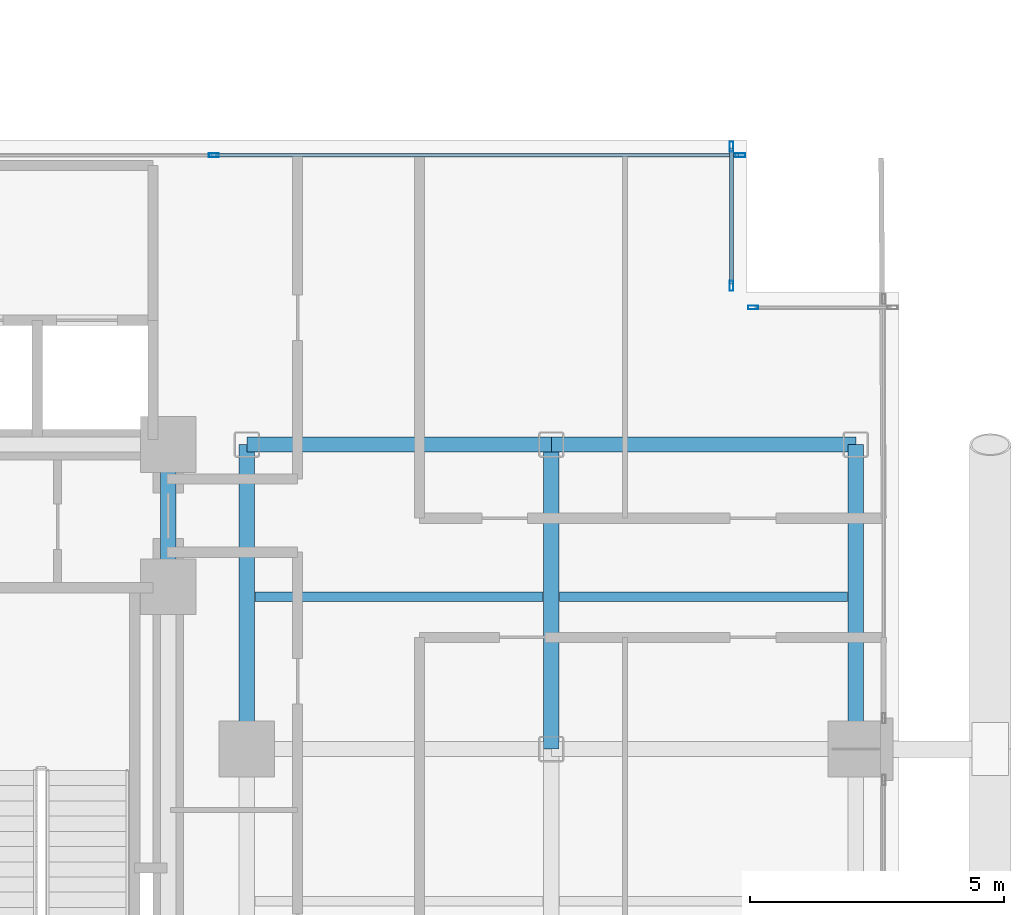
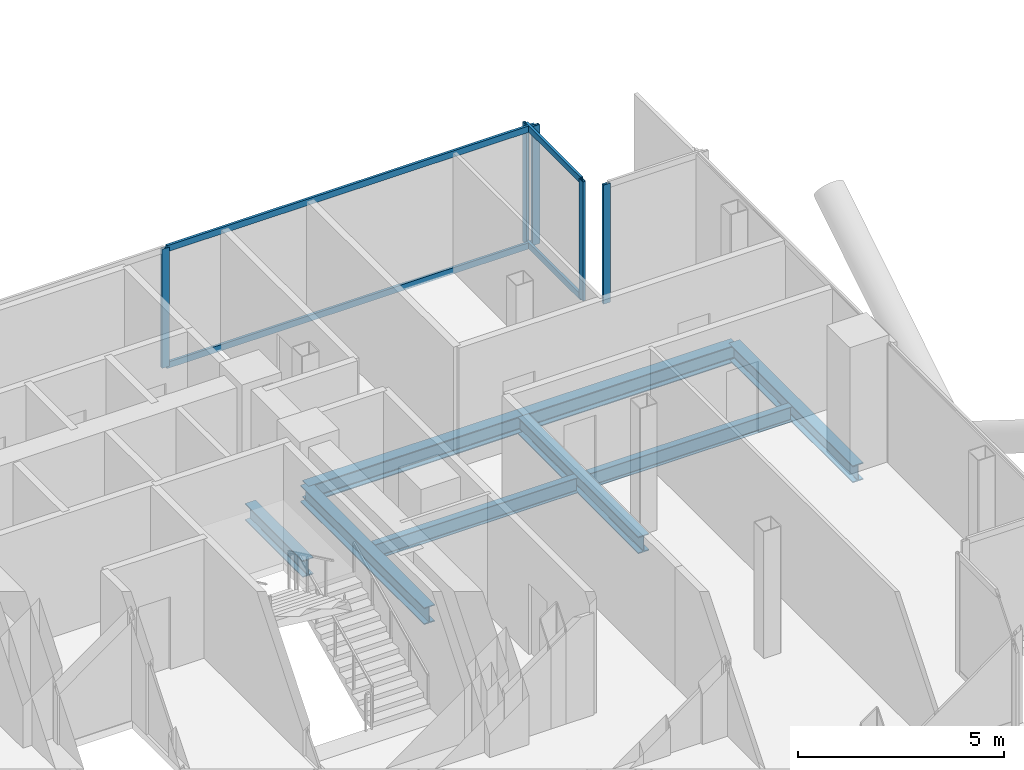
# One storey, part 12 of 24: 9 members, 8 beams, 3 elements without a shape of their own.
"""IFC4 building model written with IfcOpenShell, lengths in metres."""

from ifc_helpers import new_model, si_unit, direction, frame, origin, origin_2d, place, context, subcontext, project, spatial, hollow_rectangle, i_section, extrude, material, layer, layer_set, material_profile, profile_set, type_object, element, aggregate, save


model = new_model("IFC4")

# Units and contexts
model_context = context("Model", 3, precision=1e-05, world=origin(), true_north=direction((0.0, 1.0)))
body_context = subcontext(model_context, "Body", "Model", "MODEL_VIEW")
ifc_project = project(units=[si_unit("LENGTHUNIT", "METRE"), si_unit("AREAUNIT", "SQUARE_METRE"), si_unit("VOLUMEUNIT", "CUBIC_METRE"), si_unit("PLANEANGLEUNIT", "RADIAN"), si_unit("MASSUNIT", "GRAM", prefix="KILO"), si_unit("THERMODYNAMICTEMPERATUREUNIT", "KELVIN"), si_unit("POWERUNIT", "WATT")], contexts=[model_context])

# Site, building, storey
site_placement = place(None, origin())
site = spatial("IfcSite", under=ifc_project, at=site_placement, CompositionType="ELEMENT")
building_placement = place(site_placement, origin())
building = spatial("IfcBuilding", under=site, at=building_placement, Name="Svarakhadi Broadcast Tower", CompositionType="ELEMENT")
storey_placement = place(building_placement, frame((0.0, 0.0, 145.64990234375)))
storey = spatial("IfcBuildingStorey", under=building, at=storey_placement, Name="L35", CompositionType="ELEMENT", Elevation=145.64990234375)

# Beams
ifc_material_1 = material(Name="Steel S355J2 (IS 2062 E350C)", Category="steel")
ifc_material_profile_1 = material_profile(ifc_material_1, i_section(OverallWidth=0.18994140625, OverallDepth=0.449951171875, WebThickness=0.009521484375, FlangeThickness=0.0146484375, FilletRadius=0.02099609375, at=origin_2d()), Name="NPB 450x190x78")
ifc_profile_set_1 = profile_set([ifc_material_profile_1], Name="Steel S355J2 (IS 2062 E350C)")
beam_type_1 = type_object("IfcBeamType", Name="Beam_NPB450", PredefinedType="BEAM", material=ifc_profile_set_1)
for number, where, z_axis, x_axis, name in (
    (1, (35.31005859375, 15.0, -0.449951171875), (1.0, 0.0, 0.0), (0.0, 1.0, 0.0), "L35 Secondary Composite Beam SB021"),
    (2, (41.31005859375, 15.0, -0.449951171875), (1.0, 0.0, 0.0), (0.0, 1.0, 0.0), "L35 Secondary Composite Beam SB023"),
):
    element("IfcBeam", number, at=place(storey_placement, frame(where, z_axis=z_axis, x_axis=x_axis)), inside=storey, type_object=beam_type_1, Name=name, PredefinedType="BEAM", context=body_context, shape_type="SweptSolid", body=[
        extrude(i_section(OverallWidth=0.18994140625, OverallDepth=0.449951171875, WebThickness=0.009521484375, FlangeThickness=0.0146484375, FilletRadius=0.02099609375, at=origin_2d()), origin(), (0.0, 0.0, 1.0), 5.679931640625),
    ])

# Curtain wall, members
ifc_material_2 = material(Name="Anodised Bronze Aluminium AA 6063-T6", Category="aluminium")
ifc_layer = layer(ifc_material_2, 0.199951171875)
ifc_layer_set = layer_set([ifc_layer], Name="Anodised Bronze Aluminium AA 6063-T6")
curtain_wall_type = type_object("IfcCurtainWallType", Name="CW_Sys_03", PredefinedType="NOTDEFINED", material=ifc_layer_set)
curtain_wall_1_placement = place(storey_placement, origin())
curtain_wall_1 = element("IfcCurtainWall", 3, at=curtain_wall_1_placement, inside=storey, type_object=curtain_wall_type, Name="L35 Unitised Facade Curtain Wall 10", PredefinedType="NOTDEFINED")
ifc_material_profile_2 = material_profile(ifc_material_2, hollow_rectangle(XDim=0.074951171875, YDim=0.199951171875, WallThickness=0.005615234375, at=origin_2d()), Name="ALU MULLION 200x75x6")
ifc_profile_set_2 = profile_set([ifc_material_profile_2], Name="Anodised Bronze Aluminium AA 6063-T6")
member_type_1 = type_object("IfcMemberType", Name="CW_Sys_03_Mul", PredefinedType="MULLION", material=ifc_profile_set_2)
member_1_placement = place(storey_placement, frame((34.5, 23.699951171875, 0.0), z_axis=(0.0, 0.0, 1.0), x_axis=(0.0, 1.0, 0.0)))
member_1 = element("IfcMember", 4, at=member_1_placement, type_object=member_type_1, Name="CW-03 mullion 2", PredefinedType="MULLION", context=body_context, shape_type="SweptSolid", body=[
    extrude(hollow_rectangle(XDim=0.074951171875, YDim=0.199951171875, WallThickness=0.005615234375, at=origin_2d()), origin(), (0.0, 0.0, 1.0), 3.525146484375),
])
member_2_placement = place(storey_placement, frame((44.87255859375, 23.699951171875, 0.0), z_axis=(0.0, 0.0, 1.0), x_axis=(0.0, 1.0, 0.0)))
member_2 = element("IfcMember", 5, at=member_2_placement, type_object=member_type_1, Name="CW-03 mullion 3", PredefinedType="MULLION", context=body_context, shape_type="SweptSolid", body=[
    extrude(hollow_rectangle(XDim=0.074951171875, YDim=0.199951171875, WallThickness=0.005615234375, at=origin_2d()), origin(), (0.0, 0.0, 1.0), 3.525146484375),
])

curtain_wall_2_placement = place(storey_placement, origin())
curtain_wall_2 = element("IfcCurtainWall", 6, at=curtain_wall_2_placement, inside=storey, type_object=curtain_wall_type, Name="L35 Unitised Facade Curtain Wall 11", PredefinedType="NOTDEFINED")
member_3_placement = place(storey_placement, frame((44.699951171875, 23.87255859375, 0.0), z_axis=(0.0, 0.0, 1.0), x_axis=(1.0, 0.0, 0.0)))
member_3 = element("IfcMember", 7, at=member_3_placement, type_object=member_type_1, Name="CW-03 mullion 1", PredefinedType="MULLION", context=body_context, shape_type="SweptSolid", body=[
    extrude(hollow_rectangle(XDim=0.074951171875, YDim=0.199951171875, WallThickness=0.005615234375, at=origin_2d()), origin(), (0.0, 0.0, 1.0), 3.525146484375),
])
member_4_placement = place(storey_placement, frame((44.699951171875, 21.12744140625, 0.0), z_axis=(0.0, 0.0, 1.0), x_axis=(1.0, 0.0, 0.0)))
member_4 = element("IfcMember", 8, at=member_4_placement, type_object=member_type_1, Name="CW-03 mullion 2", PredefinedType="MULLION", context=body_context, shape_type="SweptSolid", body=[
    extrude(hollow_rectangle(XDim=0.074951171875, YDim=0.199951171875, WallThickness=0.005615234375, at=origin_2d()), origin(), (0.0, 0.0, 1.0), 3.525146484375),
])

# Curtain wall, member
curtain_wall_3_placement = place(storey_placement, origin())
curtain_wall_3 = element("IfcCurtainWall", 9, at=curtain_wall_3_placement, inside=storey, type_object=curtain_wall_type, Name="L35 Unitised Facade Curtain Wall 12", PredefinedType="NOTDEFINED")
member_5_placement = place(storey_placement, frame((45.12744140625, 20.699951171875, 0.0), z_axis=(0.0, 0.0, 1.0), x_axis=(0.0, 1.0, 0.0)))
member_5 = element("IfcMember", 10, at=member_5_placement, type_object=member_type_1, Name="CW-03 mullion 1", PredefinedType="MULLION", context=body_context, shape_type="SweptSolid", body=[
    extrude(hollow_rectangle(XDim=0.074951171875, YDim=0.199951171875, WallThickness=0.005615234375, at=origin_2d()), origin(), (0.0, 0.0, 1.0), 3.525146484375),
])
aggregate(curtain_wall_3, [member_5])

# Member
ifc_material_profile_3 = material_profile(ifc_material_2, hollow_rectangle(XDim=0.070068359375, YDim=0.18505859375, WallThickness=0.0048828125, at=origin_2d()), Name="ALU TRANSOM 185x70x5")
ifc_profile_set_3 = profile_set([ifc_material_profile_3], Name="Anodised Bronze Aluminium AA 6063-T6")
member_type_2 = type_object("IfcMemberType", Name="CW_Sys_03_Trn", PredefinedType="USERDEFINED", material=ifc_profile_set_3)
member_6_placement = place(storey_placement, frame((34.53759765625, 23.699951171875, 0.03515625), z_axis=(1.0, 0.0, 0.0), x_axis=(0.0, 1.0, 0.0)))
member_6 = element("IfcMember", 11, at=member_6_placement, type_object=member_type_2, Name="CW-03 transom 2.1", ObjectType="TRANSOM", PredefinedType="USERDEFINED", context=body_context, shape_type="SweptSolid", body=[
    extrude(hollow_rectangle(XDim=0.070068359375, YDim=0.18505859375, WallThickness=0.0048828125, at=origin_2d()), origin(), (0.0, 0.0, 1.0), 10.29736328125),
])

member_7_placement = place(storey_placement, frame((34.53759765625, 23.699951171875, 3.489990234375), z_axis=(1.0, 0.0, 0.0), x_axis=(0.0, 1.0, 0.0)))
member_7 = element("IfcMember", 12, at=member_7_placement, type_object=member_type_2, Name="CW-03 transom 2.2", ObjectType="TRANSOM", PredefinedType="USERDEFINED", context=body_context, shape_type="SweptSolid", body=[
    extrude(hollow_rectangle(XDim=0.070068359375, YDim=0.18505859375, WallThickness=0.0048828125, at=origin_2d()), origin(), (0.0, 0.0, 1.0), 10.29736328125),
])

aggregate(curtain_wall_1, [member_1, member_2, member_6, member_7])

member_8_placement = place(storey_placement, frame((44.699951171875, 23.8349609375, 0.03515625), z_axis=(0.0, -1.0, 0.0), x_axis=(1.0, 0.0, 0.0)))
member_8 = element("IfcMember", 13, at=member_8_placement, type_object=member_type_2, Name="CW-03 transom 1.1", ObjectType="TRANSOM", PredefinedType="USERDEFINED", context=body_context, shape_type="SweptSolid", body=[
    extrude(hollow_rectangle(XDim=0.070068359375, YDim=0.18505859375, WallThickness=0.0048828125, at=origin_2d()), origin(), (0.0, 0.0, 1.0), 2.669921875),
])

member_9_placement = place(storey_placement, frame((44.699951171875, 23.8349609375, 3.489990234375), z_axis=(0.0, -1.0, 0.0), x_axis=(1.0, 0.0, 0.0)))
member_9 = element("IfcMember", 14, at=member_9_placement, type_object=member_type_2, Name="CW-03 transom 1.2", ObjectType="TRANSOM", PredefinedType="USERDEFINED", context=body_context, shape_type="SweptSolid", body=[
    extrude(hollow_rectangle(XDim=0.070068359375, YDim=0.18505859375, WallThickness=0.0048828125, at=origin_2d()), origin(), (0.0, 0.0, 1.0), 2.669921875),
])

aggregate(curtain_wall_2, [member_3, member_4, member_8, member_9])

# Beams
ifc_material_profile_4 = material_profile(ifc_material_1, i_section(OverallWidth=0.300048828125, OverallDepth=0.5, WebThickness=0.014404296875, FlangeThickness=0.028076171875, FilletRadius=0.027099609375, at=origin_2d()), Name="WPB 500x300x187")
ifc_profile_set_4 = profile_set([ifc_material_profile_4], Name="Steel S355J2 (IS 2062 E350C)")
beam_type_2 = type_object("IfcBeamType", Name="Girder_WPB500", PredefinedType="USERDEFINED", material=ifc_profile_set_4)
for number, where, z_axis, x_axis, name in (
    (15, (35.14990234375, 18.0, -0.474853515625), (1.0, 0.0, 0.0), (0.0, 1.0, 0.0), "L35 Primary E-W Girder G028"),
    (16, (41.14990234375, 18.0, -0.474853515625), (1.0, 0.0, 0.0), (0.0, 1.0, 0.0), "L35 Primary E-W Girder G029"),
):
    element("IfcBeam", number, at=place(storey_placement, frame(where, z_axis=z_axis, x_axis=x_axis)), inside=storey, type_object=beam_type_2, Name=name, ObjectType="GIRDER", PredefinedType="USERDEFINED", context=body_context, shape_type="SweptSolid", body=[
        extrude(i_section(OverallWidth=0.300048828125, OverallDepth=0.5, WebThickness=0.014404296875, FlangeThickness=0.028076171875, FilletRadius=0.027099609375, at=origin_2d()), origin(), (0.0, 0.0, 1.0), 6.0),
    ])
beam_placement = place(storey_placement, frame((33.60009765625, 15.199951171875, -0.474853515625), z_axis=(0.0, 1.0, 0.0), x_axis=(-1.0, 0.0, 0.0)))
element("IfcBeam", 17, at=beam_placement, inside=storey, type_object=beam_type_2, Name="L35 Primary N-S Girder G066", ObjectType="GIRDER", PredefinedType="USERDEFINED", context=body_context, shape_type="SweptSolid", body=[
    extrude(i_section(OverallWidth=0.300048828125, OverallDepth=0.5, WebThickness=0.014404296875, FlangeThickness=0.028076171875, FilletRadius=0.027099609375, at=origin_2d()), origin(), (0.0, 0.0, 1.0), 2.800048828125),
])
for number, where, z_axis, x_axis, name in (
    (18, (35.14990234375, 12.0, -0.474853515625), (0.0, 1.0, 0.0), (-1.0, 0.0, 0.0), "L35 Primary N-S Girder G069"),
    (19, (41.14990234375, 12.0, -0.474853515625), (0.0, 1.0, 0.0), (-1.0, 0.0, 0.0), "L35 Primary N-S Girder G072"),
    (20, (47.14990234375, 12.0, -0.474853515625), (0.0, 1.0, 0.0), (-1.0, 0.0, 0.0), "L35 Primary N-S Girder G074"),
):
    element("IfcBeam", number, at=place(storey_placement, frame(where, z_axis=z_axis, x_axis=x_axis)), inside=storey, type_object=beam_type_2, Name=name, ObjectType="GIRDER", PredefinedType="USERDEFINED", context=body_context, shape_type="SweptSolid", body=[
        extrude(i_section(OverallWidth=0.300048828125, OverallDepth=0.5, WebThickness=0.014404296875, FlangeThickness=0.028076171875, FilletRadius=0.027099609375, at=origin_2d()), origin(), (0.0, 0.0, 1.0), 6.0),
    ])

save(model, "model.ifc")
